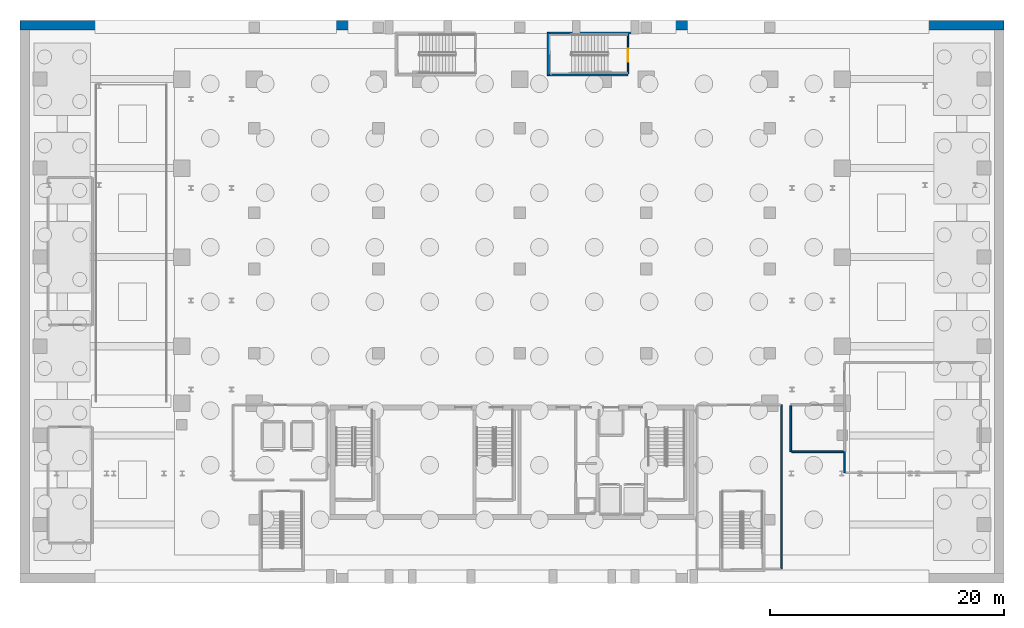
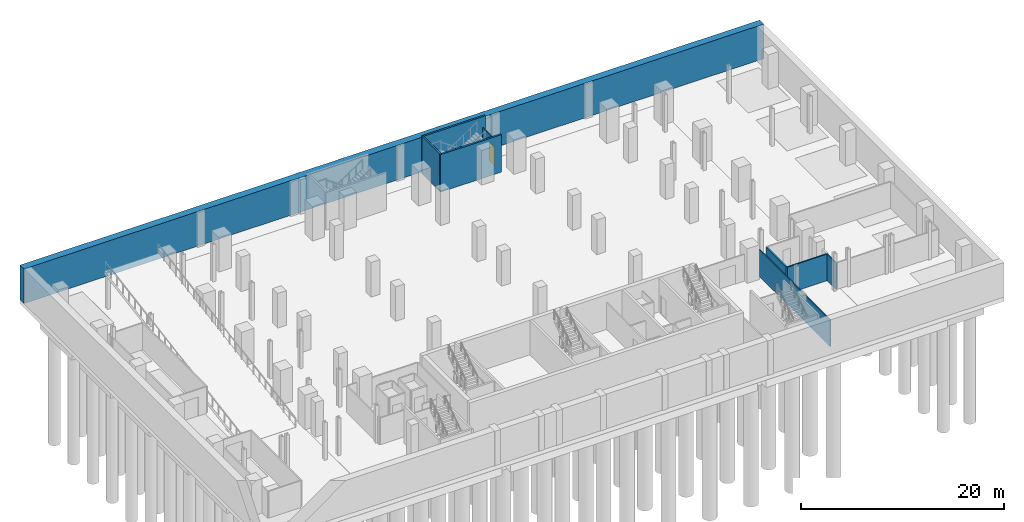
# One storey, part 11 of 18: 9 walls, 1 door, 1 opening.
"""IFC4 building model written with IfcOpenShell, lengths in metres."""

import ifcopenshell
import ifcopenshell.guid

model = None  # the IFC model being written
_history = None  # IfcOwnerHistory: only IFC2X3 demands one
_inside = {}  # id of a spatial element -> (the spatial element, [elements in it])
_under = {}  # id of a project, library or spatial element -> (it, [spatial elements below it])
_declared = {}  # id of a project -> (the project, [libraries it declares])
_typed = {}  # id of a type object -> (the type object, [elements of that type])
_made_of = {}  # id of a material, layer set ... -> (it, [elements and type objects made of it])


def new_model(schema):
    """Start an empty IFC model of exactly this schema.

    Asked for "IFC4X3", IfcOpenShell would pick the latest addendum, in which some entities
    have other attributes; the version numbers below select the first issue.
    IFC2X3 requires an IfcOwnerHistory on every rooted entity: one is made here for all.
    """
    global model, _history
    if schema == "IFC4X3":
        model = ifcopenshell.file(schema_version=(4, 3, 0, 0))
    else:
        model = ifcopenshell.file(schema=schema)
    _inside.clear()
    _under.clear()
    _declared.clear()
    _typed.clear()
    _made_of.clear()
    _history = None
    if model.schema == "IFC2X3":
        org = make("IfcOrganization", Name="unknown")
        user = make(
            "IfcPersonAndOrganization",
            ThePerson=make("IfcPerson", FamilyName="unknown"),
            TheOrganization=org,
        )
        app = make(
            "IfcApplication",
            ApplicationDeveloper=org,
            Version="unknown",
            ApplicationFullName="unknown",
            ApplicationIdentifier="unknown",
        )
        _history = make(
            "IfcOwnerHistory",
            OwningUser=user,
            OwningApplication=app,
            ChangeAction="ADDED",
            CreationDate=0,
        )
    return model


def make(cls, **values):
    """One entity of the class cls with the attributes given. An attribute that is None is left unset."""
    return model.create_entity(
        cls, **{name: value for name, value in values.items() if value is not None}
    )


def rooted(cls, **values):
    """An entity with a GlobalId (a new one), such as an element, a storey or a relation."""
    return make(cls, GlobalId=ifcopenshell.guid.new(), OwnerHistory=_history, **values)


def si_unit(unit_type, name, prefix=None):
    """IfcSIUnit, for example si_unit("LENGTHUNIT", "METRE", prefix="MILLI")."""
    return make("IfcSIUnit", UnitType=unit_type, Prefix=prefix, Name=name)


def assignment(units):
    """IfcUnitAssignment: the units of a project."""
    return None if units is None else make("IfcUnitAssignment", Units=units)


def point(xyz):
    """IfcCartesianPoint."""
    return None if xyz is None else make("IfcCartesianPoint", Coordinates=xyz)


def direction(xyz):
    """IfcDirection."""
    return None if xyz is None else make("IfcDirection", DirectionRatios=xyz)


def frame(location, z_axis=None, x_axis=None):
    """IfcAxis2Placement3D, a coordinate frame: its origin and axes. An axis left out is left unset."""
    return make(
        "IfcAxis2Placement3D",
        Location=point(location),
        Axis=direction(z_axis),
        RefDirection=direction(x_axis),
    )


def frame_2d(location, x_axis=None):
    """IfcAxis2Placement2D, a coordinate frame in the plane: its origin and x axis."""
    return make(
        "IfcAxis2Placement2D", Location=point(location), RefDirection=direction(x_axis)
    )


def origin():
    """The frame at (0, 0, 0) with its axes left unset."""
    return frame((0.0, 0.0, 0.0))


def place(relative_to, where):
    """IfcLocalPlacement: puts the frame where relative to a parent placement (None: the world)."""
    return make(
        "IfcLocalPlacement", PlacementRelTo=relative_to, RelativePlacement=where
    )


def context(
    kind, dimensions, precision=None, world=None, true_north=None, identifier=None
):
    """IfcGeometricRepresentationContext, for example the 3D "Model" context."""
    return make(
        "IfcGeometricRepresentationContext",
        ContextIdentifier=identifier,
        ContextType=kind,
        CoordinateSpaceDimension=dimensions,
        Precision=precision,
        WorldCoordinateSystem=world,
        TrueNorth=true_north,
    )


def subcontext(parent, identifier, kind, view, scale=None):
    """IfcGeometricRepresentationSubContext, for example "Body" below "Model"."""
    return make(
        "IfcGeometricRepresentationSubContext",
        ContextIdentifier=identifier,
        ContextType=kind,
        ParentContext=parent,
        TargetScale=scale,
        TargetView=view,
    )


def project(units=None, contexts=None):
    """IfcProject with its units and contexts."""
    return rooted(
        "IfcProject",
        Name="project",
        RepresentationContexts=contexts,
        UnitsInContext=assignment(units),
    )


def spatial(cls, under=None, at=None, **own):
    """A site, building, storey or space (cls), placed at a placement, below another one or the project."""
    s = rooted(cls, ObjectPlacement=at, **own)
    if under is not None:
        _under.setdefault(under.id(), (under, []))[1].append(s)
    return s


def profile(cls, at=None, kind="AREA", **sizes):
    """A parametric profile (cls). Its sizes go by their IFC names, for example OverallWidth=200.0."""
    return make(cls, ProfileType=kind, Position=at, **sizes)


def rectangle(**sizes):
    """IfcRectangleProfileDef."""
    return profile("IfcRectangleProfileDef", **sizes)


def extrude(swept, where, along, depth):
    """IfcExtrudedAreaSolid: the profile swept, set in the frame where, extruded along a direction by depth."""
    return make(
        "IfcExtrudedAreaSolid",
        SweptArea=swept,
        Position=where,
        ExtrudedDirection=direction(along),
        Depth=depth,
    )


def shape(context_of_items, identifier, shape_type, items):
    """IfcShapeRepresentation: the items that make up one representation, for example the "Body"."""
    return make(
        "IfcShapeRepresentation",
        ContextOfItems=context_of_items,
        RepresentationIdentifier=identifier,
        RepresentationType=shape_type,
        Items=items,
    )


def material(Name=None, Category=None):
    """IfcMaterial."""
    return make("IfcMaterial", Name=Name, Category=Category)


def layer(
    of_material, thickness, ventilated=None, Name=None, Category=None, Priority=None
):
    """IfcMaterialLayer: one layer of a wall or slab, of a material (None: an air gap)."""
    return make(
        "IfcMaterialLayer",
        Material=of_material,
        LayerThickness=thickness,
        IsVentilated=ventilated,
        Name=Name,
        Category=Category,
        Priority=Priority,
    )


def layer_set(layers, Name=None):
    """IfcMaterialLayerSet."""
    return make("IfcMaterialLayerSet", MaterialLayers=layers, LayerSetName=Name)


def made_of(thing, what):
    """Note that an element or type object is made of a material, layer set ...; save() writes the relation."""
    if what is not None:
        _made_of.setdefault(what.id(), (what, []))[1].append(thing)
    return thing


def type_object(cls, material=None, **own):
    """A type object (cls), such as IfcWallType, which elements share."""
    return made_of(rooted(cls, **own), material)


def element(
    cls,
    number,
    at=None,
    inside=None,
    cuts=None,
    type_object=None,
    material=None,
    context=None,
    identifier="Body",
    shape_type=None,
    held_by="IfcProductDefinitionShape",
    body=None,
    shapes=None,
    **own,
):
    """One element of the class cls, such as IfcWall. Its Tag is "e" and its number.

    at: its placement. inside: the storey or other place that contains it. cuts: it is an
    opening in that element (IfcRelVoidsElement). A single representation is given by context,
    identifier, shape_type and body (its items); several are given by shapes. held_by: the class
    of the entity that holds the representations. save() writes the other relations.
    """
    e = rooted(cls, Tag="e%d" % number, ObjectPlacement=at, **own)
    if body is not None:
        shapes = [shape(context, identifier, shape_type, body)]
    if shapes is not None:
        e.Representation = make(held_by, Representations=shapes)
    if inside is not None:
        _inside.setdefault(inside.id(), (inside, []))[1].append(e)
    if cuts is not None:
        rooted(
            "IfcRelVoidsElement", RelatingBuildingElement=cuts, RelatedOpeningElement=e
        )
    if type_object is not None:
        _typed.setdefault(type_object.id(), (type_object, []))[1].append(e)
    return made_of(e, material)


def fill(opening, filler):
    """IfcRelFillsElement: the door or window that sits in an opening."""
    return rooted(
        "IfcRelFillsElement",
        RelatingOpeningElement=opening,
        RelatedBuildingElement=filler,
    )


def aggregate(whole, parts):
    """IfcRelAggregates: a whole, such as a stair, and the parts it consists of."""
    return rooted("IfcRelAggregates", RelatingObject=whole, RelatedObjects=parts)


def save(model, path):
    """Write the relations noted so far, then the file.

    IfcRelAggregates (storeys below a building ...), IfcRelContainedInSpatialStructure (elements
    in a storey), IfcRelDefinesByType, IfcRelAssociatesMaterial and IfcRelDeclares: one each for
    every whole, place, type object, material and project.
    """
    for whole, parts in _under.values():
        aggregate(whole, parts)
    for where, things in _inside.values():
        rooted(
            "IfcRelContainedInSpatialStructure",
            RelatedElements=things,
            RelatingStructure=where,
        )
    for kind, things in _typed.values():
        rooted("IfcRelDefinesByType", RelatedObjects=things, RelatingType=kind)
    for what, things in _made_of.values():
        rooted("IfcRelAssociatesMaterial", RelatedObjects=things, RelatingMaterial=what)
    for by, libraries in _declared.values():
        rooted("IfcRelDeclares", RelatingContext=by, RelatedDefinitions=libraries)
    model.write(path)


model = new_model("IFC4")

# Units and contexts
model_context = context("Model", 3, precision=1e-05, world=origin(), true_north=direction((0.0, 1.0)))
body_context = subcontext(model_context, "Body", "Model", "MODEL_VIEW")
ifc_project = project(units=[si_unit("LENGTHUNIT", "METRE"), si_unit("AREAUNIT", "SQUARE_METRE"), si_unit("VOLUMEUNIT", "CUBIC_METRE"), si_unit("PLANEANGLEUNIT", "RADIAN"), si_unit("MASSUNIT", "GRAM", prefix="KILO")], contexts=[model_context])

# Site, building, storey
site_placement = place(None, origin())
site = spatial("IfcSite", under=ifc_project, at=site_placement, CompositionType="ELEMENT")
building_placement = place(site_placement, origin())
building = spatial("IfcBuilding", under=site, at=building_placement, Name="Ndaravel Arena Tower", CompositionType="ELEMENT")
storey_placement = place(building_placement, frame((0.0, 0.0, -9.0)))
storey = spatial("IfcBuildingStorey", under=building, at=storey_placement, Name="B02", CompositionType="ELEMENT", Elevation=-9.0)

# Walls
ifc_material_1 = material(Name="Concrete C40/50", Category="concrete")
ifc_layer_1 = layer(ifc_material_1, 0.800048828125)
ifc_layer_set_1 = layer_set([ifc_layer_1], Name="Concrete C40/50")
wall_type_1 = type_object("IfcWallType", Name="WALL-DWALL-800", PredefinedType="USERDEFINED", material=ifc_layer_set_1)
wall_1_placement = place(storey_placement, frame((0.0, 47.60009765625, 0.0), z_axis=(0.0, 0.0, 1.0), x_axis=(1.0, 0.0, 0.0)))
element("IfcWall", 1, at=wall_1_placement, inside=storey, type_object=wall_type_1, Name="B02 North Diaphragm Wall", ObjectType="RETAININGWALL", PredefinedType="USERDEFINED", context=body_context, shape_type="SweptSolid", body=[
    extrude(rectangle(XDim=84.0, YDim=0.800048828125, at=frame_2d((42.0, 0.0))), origin(), (0.0, 0.0, 1.0), 4.14990234375),
])
ifc_material_2 = material(Name="Gypsum", Category="gypsum")
ifc_layer_2 = layer(ifc_material_2, 0.125)
ifc_layer_set_2 = layer_set([ifc_layer_2], Name="Gypsum")
wall_type_2 = type_object("IfcWallType", Name="WALL-PART-125", PredefinedType="PARTITIONING", material=ifc_layer_set_2)
wall_2_placement = place(storey_placement, frame((65.0, 1.199951171875, 0.0), z_axis=(0.0, 0.0, 1.0), x_axis=(0.0, 1.0, 0.0)))
element("IfcWall", 2, at=wall_2_placement, inside=storey, type_object=wall_type_2, Name="B02 Interior Partition 014", PredefinedType="PARTITIONING", context=body_context, shape_type="SweptSolid", body=[
    extrude(rectangle(XDim=14.0, YDim=0.125, at=frame_2d((7.0, 0.0))), origin(), (0.0, 0.0, 1.0), 3.193359375),
])
wall_3_placement = place(storey_placement, frame((70.39990234375, 11.199951171875, 0.0), z_axis=(0.0, 0.0, 1.0), x_axis=(0.0, -1.0, 0.0)))
element("IfcWall", 3, at=wall_3_placement, inside=storey, type_object=wall_type_2, Name="B02 Interior Partition 023", PredefinedType="PARTITIONING", context=body_context, shape_type="SweptSolid", body=[
    extrude(rectangle(XDim=1.800048828125, YDim=0.125, at=frame_2d((0.89990234375, 0.0))), origin(), (0.0, 0.0, 1.0), 3.193359375),
])

# Wall, opening, door
ifc_material_3 = material(Name="Concrete C40/50", Category="concrete")
ifc_layer_3 = layer(ifc_material_3, 0.1201171875)
ifc_layer_set_3 = layer_set([ifc_layer_3], Name="Concrete C40/50")
wall_type_3 = type_object("IfcWallType", Name="WALL-SHAFT-120", PredefinedType="SOLIDWALL", material=ifc_layer_set_3)
wall_4_placement = place(storey_placement, frame((51.89990234375, 46.8349609375, 0.0), z_axis=(0.0, 0.0, 1.0), x_axis=(0.0, -1.0, 0.0)))
wall_4 = element("IfcWall", 4, at=wall_4_placement, inside=storey, type_object=wall_type_3, Name="B02 ST-B4 Entry Wall", PredefinedType="SOLIDWALL", context=body_context, shape_type="SweptSolid", body=[
    extrude(rectangle(XDim=3.369873046875, YDim=0.1201171875, at=frame_2d((1.68505859375, 0.0))), origin(), (0.0, 0.0, 1.0), 3.193359375),
])
opening_placement = place(wall_4_placement, frame((1.239990234375, 0.0, 0.0)))
opening = element("IfcOpeningElement", 5, at=opening_placement, cuts=wall_4, Name="Opening FD-01", PredefinedType="OPENING", context=body_context, shape_type="SweptSolid", body=[
    extrude(rectangle(XDim=1.10009765625, YDim=2.199951171875, at=frame_2d((0.550048828125, 1.10009765625))), frame((0.0, 0.06005859375, 0.0), z_axis=(0.0, -1.0, 0.0), x_axis=(1.0, 0.0, 0.0)), (0.0, 0.0, 1.0), 0.1201171875),
])
ifc_material_4 = material(Name="Steel S355", Category="steel")
door_type = type_object("IfcDoorType", Name="DT-01-STAIR-1100", OperationType="SINGLE_SWING_LEFT", PredefinedType="DOOR", material=ifc_material_4)
door_placement = place(opening_placement, origin())
door = element("IfcDoor", 6, at=door_placement, inside=storey, type_object=door_type, Name="B02 ST-B4 Fire Exit Stair Door", OperationType="SINGLE_SWING_LEFT", OverallHeight=2.199951171875, OverallWidth=1.10009765625, PredefinedType="DOOR", context=body_context, shape_type="SweptSolid", body=[
    extrude(rectangle(XDim=1.10009765625, YDim=2.199951171875, at=frame_2d((0.550048828125, 1.10009765625))), frame((0.0, 0.02490234375, 0.0), z_axis=(0.0, -1.0, 0.0), x_axis=(1.0, 0.0, 0.0)), (0.0, 0.0, 1.0), 0.050048828125),
])
fill(opening, door)

# Walls
ifc_material_5 = material(Name="Concrete C40/50", Category="concrete")
ifc_layer_4 = layer(ifc_material_5, 0.199951171875)
ifc_layer_set_4 = layer_set([ifc_layer_4], Name="Concrete C40/50")
wall_type_4 = type_object("IfcWallType", Name="WALL-SHAFT-200", PredefinedType="SOLIDWALL", material=ifc_layer_set_4)
wall_5_placement = place(storey_placement, frame((52.179931640625, 46.93994140625, 0.0), z_axis=(0.0, 0.0, 1.0), x_axis=(-1.0, 0.0, 0.0)))
element("IfcWall", 7, at=wall_5_placement, inside=storey, type_object=wall_type_4, Name="B02 ST-B4 Shaft Wall Left", PredefinedType="SOLIDWALL", context=body_context, shape_type="SweptSolid", body=[
    extrude(rectangle(XDim=7.179931640625, YDim=0.199951171875, at=frame_2d((3.58984375, 0.0))), origin(), (0.0, 0.0, 1.0), 4.5),
])
wall_6_placement = place(storey_placement, frame((51.89990234375, 43.360107421875, 0.0), z_axis=(0.0, 0.0, 1.0), x_axis=(-1.0, 0.0, 0.0)))
element("IfcWall", 8, at=wall_6_placement, inside=storey, type_object=wall_type_4, Name="B02 ST-B4 Shaft Wall Right", PredefinedType="SOLIDWALL", context=body_context, shape_type="SweptSolid", body=[
    extrude(rectangle(XDim=6.89990234375, YDim=0.199951171875, at=frame_2d((3.449951171875, 0.0))), origin(), (0.0, 0.0, 1.0), 4.5),
])
wall_7_placement = place(storey_placement, frame((45.10009765625, 46.929931640625, 0.0), z_axis=(0.0, 0.0, 1.0), x_axis=(0.0, -1.0, 0.0)))
element("IfcWall", 9, at=wall_7_placement, inside=storey, type_object=wall_type_4, Name="B02 ST-B4 Shaft Wall Far", PredefinedType="SOLIDWALL", context=body_context, shape_type="SweptSolid", body=[
    extrude(rectangle(XDim=3.559814453125, YDim=0.199951171875, at=frame_2d((1.77978515625, 0.0))), origin(), (0.0, 0.0, 1.0), 4.5),
])
ifc_material_6 = material(Name="Masonry", Category="masonry")
ifc_layer_5 = layer(ifc_material_6, 0.14990234375)
ifc_layer_set_5 = layer_set([ifc_layer_5], Name="Masonry")
wall_type_5 = type_object("IfcWallType", Name="WALL-WET-150", PredefinedType="PARTITIONING", material=ifc_layer_set_5)
wall_8_placement = place(storey_placement, frame((65.800048828125, 15.135009765625, 0.0), z_axis=(0.0, 0.0, 1.0), x_axis=(0.0, -1.0, 0.0)))
element("IfcWall", 10, at=wall_8_placement, inside=storey, type_object=wall_type_5, Name="B02 Interior Partition 026", PredefinedType="PARTITIONING", context=body_context, shape_type="SweptSolid", body=[
    extrude(rectangle(XDim=3.93505859375, YDim=0.14990234375, at=frame_2d((1.967529296875, 0.0))), origin(), (0.0, 0.0, 1.0), 3.193359375),
])
wall_9_placement = place(storey_placement, frame((65.864990234375, 11.199951171875, 0.0), z_axis=(0.0, 0.0, 1.0), x_axis=(1.0, 0.0, 0.0)))
element("IfcWall", 11, at=wall_9_placement, inside=storey, type_object=wall_type_5, Name="B02 Interior Partition 027", PredefinedType="PARTITIONING", context=body_context, shape_type="SweptSolid", body=[
    extrude(rectangle(XDim=4.469970703125, YDim=0.14990234375, at=frame_2d((2.23486328125, 0.0))), origin(), (0.0, 0.0, 1.0), 3.193359375),
])

save(model, "model.ifc")
